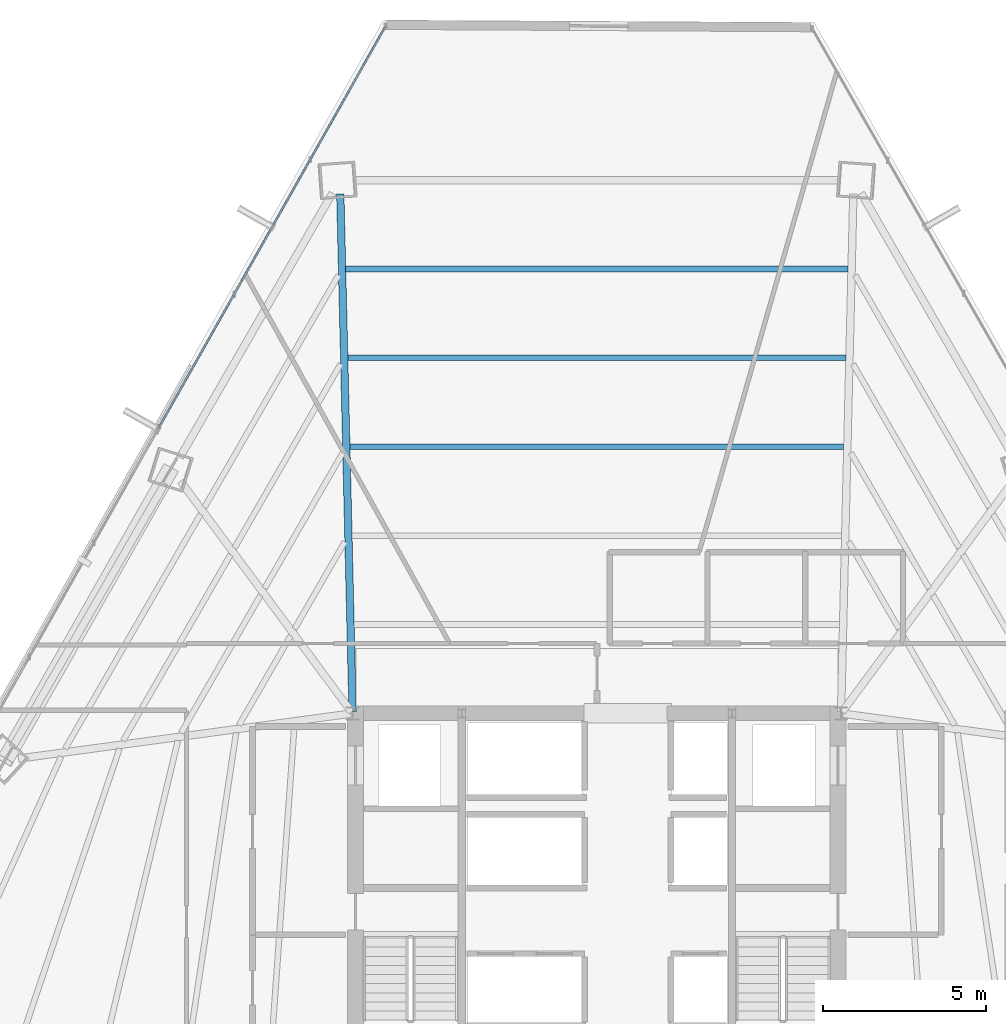
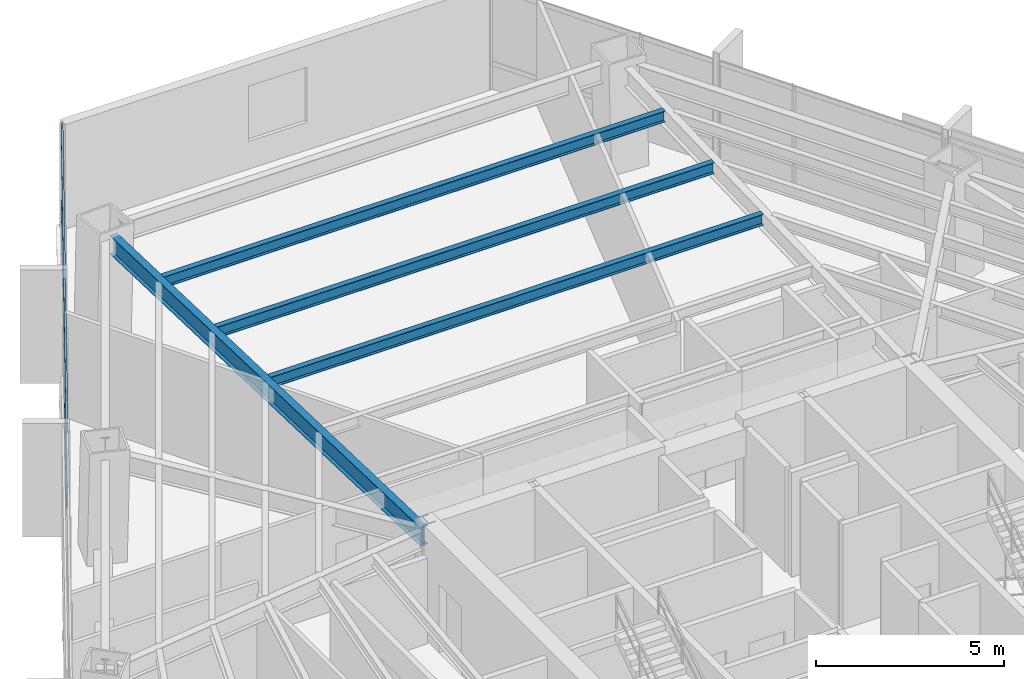
# One storey, part 25 of 36: 4 beams, 2 members, 1 element without a shape of its own.
"""IFC4 building model written with IfcOpenShell, lengths in metres."""

from ifc_helpers import new_model, si_unit, direction, frame, origin, origin_2d, place, context, subcontext, project, spatial, hollow_rectangle, i_section, extrude, source, transform, mapped, material, material_profile, profile_set, type_object, type_shapes, element, aggregate, save


model = new_model("IFC4")

# Units and contexts
model_context = context("Model", 3, precision=1e-05, world=origin(), true_north=direction((0.0, 1.0)))
body_context = subcontext(model_context, "Body", "Model", "MODEL_VIEW")
ifc_project = project(units=[si_unit("LENGTHUNIT", "METRE"), si_unit("AREAUNIT", "SQUARE_METRE"), si_unit("VOLUMEUNIT", "CUBIC_METRE"), si_unit("PLANEANGLEUNIT", "RADIAN"), si_unit("MASSUNIT", "GRAM", prefix="KILO")], contexts=[model_context])

# Site, building, storey
site_placement = place(None, origin())
site = spatial("IfcSite", under=ifc_project, at=site_placement, CompositionType="ELEMENT")
building_placement = place(site_placement, origin())
building = spatial("IfcBuilding", under=site, at=building_placement, Name="Caelisora Broadcast Tower", CompositionType="ELEMENT")
storey_placement = place(building_placement, frame((0.0, 0.0, 83.5)))
storey = spatial("IfcBuildingStorey", under=building, at=storey_placement, Name="L21", CompositionType="ELEMENT", Elevation=83.5)

# Beams
ifc_material_1 = material(Name="Steel Grade 350 (AS/NZS 3679.1)", Category="steel")
ifc_material_profile_1 = material_profile(ifc_material_1, i_section(OverallWidth=0.22802734375, OverallDepth=0.602294921875, WebThickness=0.010498046875, FlangeThickness=0.014892578125, at=origin_2d()), Name="Steel Grade 350 (AS/NZS 3679.1)")
ifc_profile_set_1 = profile_set([ifc_material_profile_1], Name="Steel Grade 350 (AS/NZS 3679.1)")
beam_type_1 = type_object("IfcBeamType", Name="PG04", PredefinedType="BEAM", material=ifc_profile_set_1)
shared_shape_1 = source(origin(), body_context, "Body", "SweptSolid", [
    extrude(i_section(OverallWidth=0.22802734375, OverallDepth=0.602294921875, WebThickness=0.010498046875, FlangeThickness=0.014892578125, at=origin_2d()), origin(), (0.0, 0.0, 1.0), 15.901123046875),
])
type_shapes(beam_type_1, [shared_shape_1])
beam_1_placement = place(storey_placement, frame((30.49853515625, 30.06005859375, 3.098876953125), z_axis=(-0.023736648725, 0.999718246061, 0.0), x_axis=(-0.999718246061, -0.023736648725, 0.0)))
element("IfcBeam", 1, at=beam_1_placement, inside=storey, type_object=beam_type_1, Name="L21 beam PG04", PredefinedType="BEAM", context=body_context, shape_type="MappedRepresentation", body=[
    mapped(shared_shape_1, transform((0.0, 0.0, 0.0), scale=1.0)),
])
ifc_material_profile_2 = material_profile(ifc_material_1, i_section(OverallWidth=0.172119140625, OverallDepth=0.358642578125, WebThickness=0.008056640625, FlangeThickness=0.012939453125, at=origin_2d()), Name="Steel Grade 350 (AS/NZS 3679.1)")
ifc_profile_set_2 = profile_set([ifc_material_profile_2], Name="Steel Grade 350 (AS/NZS 3679.1)")
beam_type_2 = type_object("IfcBeamType", Name="SB02", PredefinedType="JOIST", material=ifc_profile_set_2)
shared_shape_2 = source(origin(), body_context, "Body", "SweptSolid", [
    extrude(i_section(OverallWidth=0.172119140625, OverallDepth=0.358642578125, WebThickness=0.008056640625, FlangeThickness=0.012939453125, at=origin_2d()), origin(), (0.0, 0.0, 1.0), 15.1669921875),
])
beam_2_placement = place(storey_placement, frame((45.58349609375, 38.1884765625, 3.220703125), z_axis=(-1.0, 0.0, 0.0), x_axis=(0.0, -1.0, 0.0)))
element("IfcBeam", 2, at=beam_2_placement, inside=storey, type_object=beam_type_2, Name="L21 beam SB02", PredefinedType="JOIST", context=body_context, shape_type="MappedRepresentation", body=[
    mapped(shared_shape_2, transform((0.0, 0.0, 0.0), scale=1.0)),
])
shared_shape_3 = source(origin(), body_context, "Body", "SweptSolid", [
    extrude(i_section(OverallWidth=0.172119140625, OverallDepth=0.358642578125, WebThickness=0.008056640625, FlangeThickness=0.012939453125, at=origin_2d()), origin(), (0.0, 0.0, 1.0), 15.29638671875),
])
beam_3_placement = place(storey_placement, frame((45.648193359375, 40.91796875, 3.220703125), z_axis=(-1.0, 0.0, 0.0), x_axis=(0.0, -1.0, 0.0)))
element("IfcBeam", 3, at=beam_3_placement, inside=storey, type_object=beam_type_2, Name="L21 beam SB02", PredefinedType="JOIST", context=body_context, shape_type="MappedRepresentation", body=[
    mapped(shared_shape_3, transform((0.0, 0.0, 0.0), scale=1.0)),
])
shared_shape_4 = source(origin(), body_context, "Body", "SweptSolid", [
    extrude(i_section(OverallWidth=0.172119140625, OverallDepth=0.358642578125, WebThickness=0.008056640625, FlangeThickness=0.012939453125, at=origin_2d()), origin(), (0.0, 0.0, 1.0), 15.42626953125),
])
type_shapes(beam_type_2, [shared_shape_2, shared_shape_3, shared_shape_4])
beam_4_placement = place(storey_placement, frame((45.713134765625, 43.647216796875, 3.220703125), z_axis=(-1.0, 0.0, 0.0), x_axis=(0.0, -1.0, 0.0)))
element("IfcBeam", 4, at=beam_4_placement, inside=storey, type_object=beam_type_2, Name="L21 beam SB02", PredefinedType="JOIST", context=body_context, shape_type="MappedRepresentation", body=[
    mapped(shared_shape_4, transform((0.0, 0.0, 0.0), scale=1.0)),
])

# Curtain wall, members
ifc_material_2 = material(Name="Unitised Aluminium and Low-E Glass Curtain Wall", Category="glass")
curtain_wall_type = type_object("IfcCurtainWallType", Name="CW-Z2", PredefinedType="NOTDEFINED", material=ifc_material_2)
curtain_wall_placement = place(storey_placement, origin())
curtain_wall = element("IfcCurtainWall", 5, at=curtain_wall_placement, inside=storey, type_object=curtain_wall_type, Name="L21 curtain wall CW-Z2", PredefinedType="NOTDEFINED")
ifc_material_3 = material(Name="Aluminium 6063-T6 Anodised Terracotta Bronze", Category="aluminium")
ifc_material_profile_3 = material_profile(ifc_material_3, hollow_rectangle(XDim=0.06005859375, YDim=0.14990234375, WallThickness=0.00341796875, at=origin_2d()), Name="Aluminium 6063-T6 Anodised Terracotta Bronze")
ifc_profile_set_3 = profile_set([ifc_material_profile_3], Name="Aluminium 6063-T6 Anodised Terracotta Bronze")
member_type = type_object("IfcMemberType", Name="CWT-02", PredefinedType="USERDEFINED", material=ifc_profile_set_3)
shared_shape_5 = source(origin(), body_context, "Body", "SweptSolid", [
    extrude(hollow_rectangle(XDim=0.06005859375, YDim=0.14990234375, WallThickness=0.00341796875, at=origin_2d()), origin(), (0.0, 0.0, 1.0), 14.15185546875),
])
type_shapes(member_type, [shared_shape_5])
member_1_placement = place(storey_placement, frame((24.548583984375, 38.7802734375, 0.85009765625), z_axis=(0.491787215605, 0.870715415373, 0.0), x_axis=(-0.870715415373, 0.491787215605, 0.0)))
member_1 = element("IfcMember", 6, at=member_1_placement, type_object=member_type, Name="L21-CW-B11 transom #1", ObjectType="TRANSOM", PredefinedType="USERDEFINED", context=body_context, shape_type="MappedRepresentation", body=[
    mapped(shared_shape_5, transform((0.0, 0.0, 0.0), scale=1.0)),
])
member_2_placement = place(storey_placement, frame((24.548583984375, 38.7802734375, 3.320068359375), z_axis=(0.491787215605, 0.870715415373, 0.0), x_axis=(-0.870715415373, 0.491787215605, 0.0)))
member_2 = element("IfcMember", 7, at=member_2_placement, type_object=member_type, Name="L21-CW-B11 transom #2", ObjectType="TRANSOM", PredefinedType="USERDEFINED", context=body_context, shape_type="MappedRepresentation", body=[
    mapped(shared_shape_5, transform((0.0, 0.0, 0.0), scale=1.0)),
])
aggregate(curtain_wall, [member_1, member_2])

save(model, "model.ifc")
